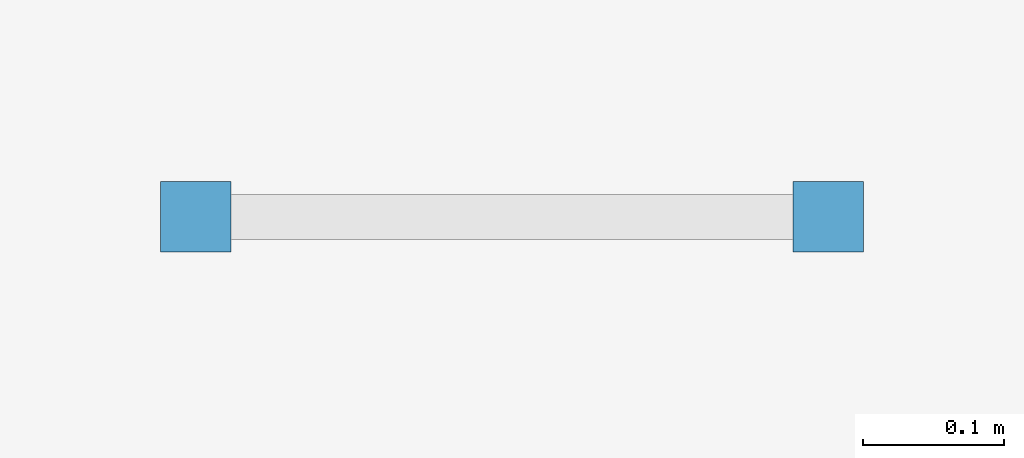
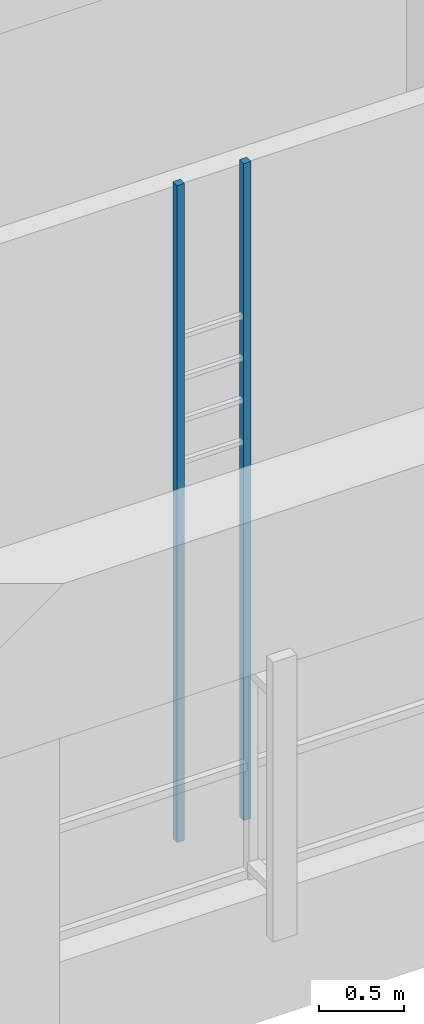
# One storey, part 12 of 28: 2 discrete accessories.
"""IFC4 building model written with IfcOpenShell, lengths in metres."""

from ifc_helpers import new_model, si_unit, direction, frame, origin, origin_2d, place, context, subcontext, project, spatial, rectangle, extrude, material, type_object, element, save


model = new_model("IFC4")

# Units and contexts
model_context = context("Model", 3, precision=1e-05, world=origin(), true_north=direction((0.0, 1.0)))
body_context = subcontext(model_context, "Body", "Model", "MODEL_VIEW")
ifc_project = project(units=[si_unit("LENGTHUNIT", "METRE"), si_unit("AREAUNIT", "SQUARE_METRE"), si_unit("VOLUMEUNIT", "CUBIC_METRE"), si_unit("PLANEANGLEUNIT", "RADIAN"), si_unit("MASSUNIT", "GRAM", prefix="KILO")], contexts=[model_context])

# Site, building, storey
site_placement = place(None, origin())
site = spatial("IfcSite", under=ifc_project, at=site_placement, CompositionType="ELEMENT")
building_placement = place(site_placement, origin())
building = spatial("IfcBuilding", under=site, at=building_placement, Name="Ljudholm Concert House", CompositionType="ELEMENT")
storey_placement = place(building_placement, frame((0.0, 0.0, 19.199951171875)))
storey = spatial("IfcBuildingStorey", under=building, at=storey_placement, Name="L04", CompositionType="ELEMENT", Elevation=19.199951171875)

# Discrete accessories
ifc_material = material(Name="Steel ASTM A36", Category="steel")
discrete_accessory_type = type_object("IfcDiscreteAccessoryType", Name="LADDER STILE 50", PredefinedType="USERDEFINED", material=ifc_material)
for number, where, z_axis, x_axis, name in (
    (1, (83.574951171875, 56.0, 0.0), (0.0, 0.0, 1.0), (1.0, 0.0, 0.0), "Ladder stile"),
    (2, (84.02490234375, 56.0, 0.0), (0.0, 0.0, 1.0), (1.0, 0.0, 0.0), "Ladder stile"),
):
    element("IfcDiscreteAccessory", number, at=place(storey_placement, frame(where, z_axis=z_axis, x_axis=x_axis)), inside=storey, type_object=discrete_accessory_type, Name=name, ObjectType="FIXED LADDER", PredefinedType="USERDEFINED", context=body_context, shape_type="SweptSolid", body=[
        extrude(rectangle(XDim=0.050048828125, YDim=0.050048828125, at=origin_2d()), origin(), (0.0, 0.0, 1.0), 4.699951171875),
    ])

save(model, "model.ifc")
